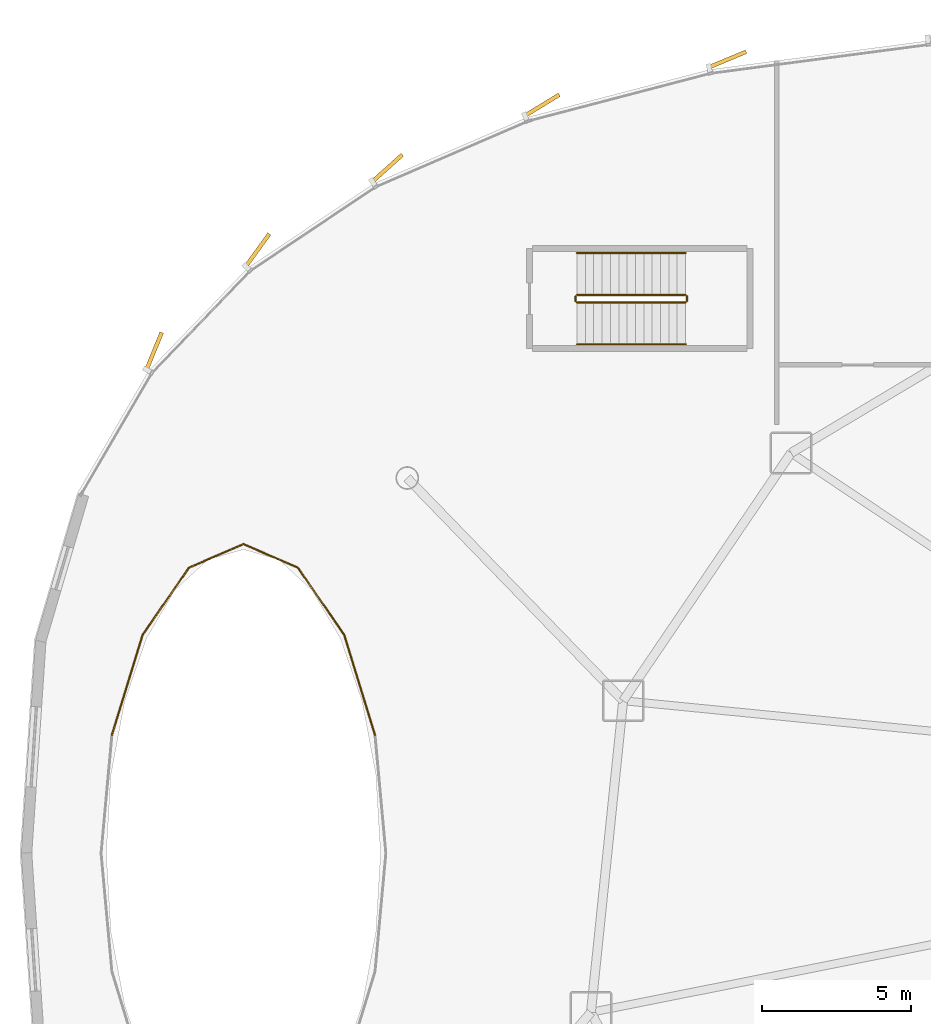
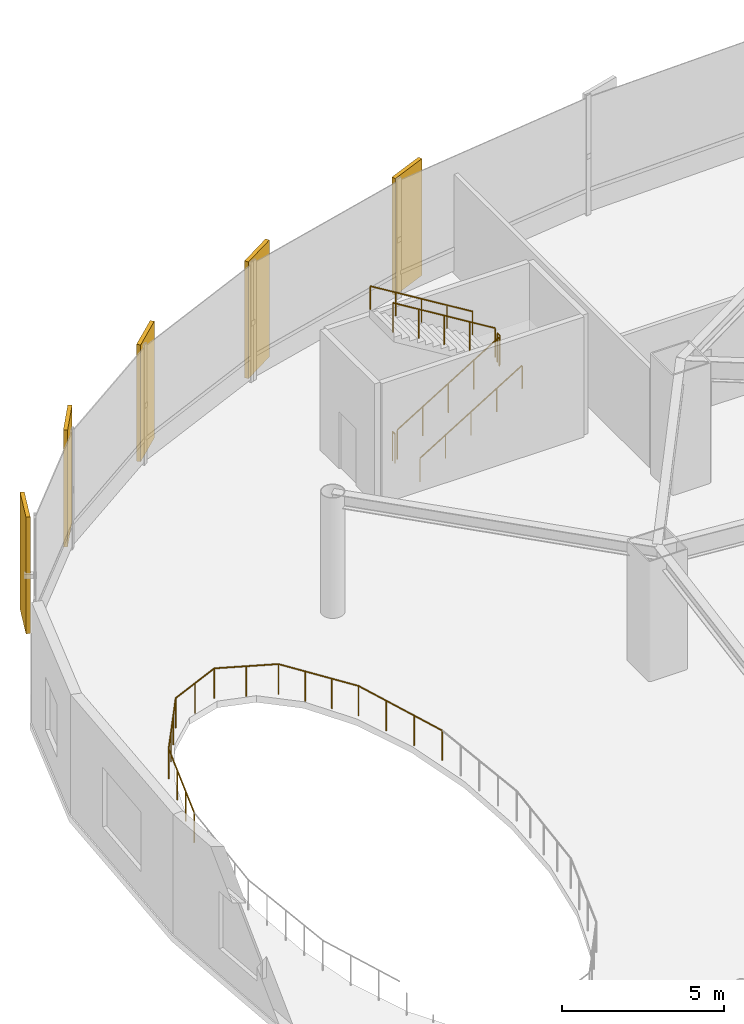
# One storey, part 31 of 33: 12 railings, 5 coverings.
"""IFC4 building model written with IfcOpenShell, lengths in metres."""

import ifcopenshell
import ifcopenshell.guid

model = None  # the IFC model being written
_history = None  # IfcOwnerHistory: only IFC2X3 demands one
_inside = {}  # id of a spatial element -> (the spatial element, [elements in it])
_under = {}  # id of a project, library or spatial element -> (it, [spatial elements below it])
_declared = {}  # id of a project -> (the project, [libraries it declares])
_typed = {}  # id of a type object -> (the type object, [elements of that type])
_made_of = {}  # id of a material, layer set ... -> (it, [elements and type objects made of it])


def new_model(schema):
    """Start an empty IFC model of exactly this schema.

    Asked for "IFC4X3", IfcOpenShell would pick the latest addendum, in which some entities
    have other attributes; the version numbers below select the first issue.
    IFC2X3 requires an IfcOwnerHistory on every rooted entity: one is made here for all.
    """
    global model, _history
    if schema == "IFC4X3":
        model = ifcopenshell.file(schema_version=(4, 3, 0, 0))
    else:
        model = ifcopenshell.file(schema=schema)
    _inside.clear()
    _under.clear()
    _declared.clear()
    _typed.clear()
    _made_of.clear()
    _history = None
    if model.schema == "IFC2X3":
        org = make("IfcOrganization", Name="unknown")
        user = make(
            "IfcPersonAndOrganization",
            ThePerson=make("IfcPerson", FamilyName="unknown"),
            TheOrganization=org,
        )
        app = make(
            "IfcApplication",
            ApplicationDeveloper=org,
            Version="unknown",
            ApplicationFullName="unknown",
            ApplicationIdentifier="unknown",
        )
        _history = make(
            "IfcOwnerHistory",
            OwningUser=user,
            OwningApplication=app,
            ChangeAction="ADDED",
            CreationDate=0,
        )
    return model


def make(cls, **values):
    """One entity of the class cls with the attributes given. An attribute that is None is left unset."""
    return model.create_entity(
        cls, **{name: value for name, value in values.items() if value is not None}
    )


def rooted(cls, **values):
    """An entity with a GlobalId (a new one), such as an element, a storey or a relation."""
    return make(cls, GlobalId=ifcopenshell.guid.new(), OwnerHistory=_history, **values)


def si_unit(unit_type, name, prefix=None):
    """IfcSIUnit, for example si_unit("LENGTHUNIT", "METRE", prefix="MILLI")."""
    return make("IfcSIUnit", UnitType=unit_type, Prefix=prefix, Name=name)


def assignment(units):
    """IfcUnitAssignment: the units of a project."""
    return None if units is None else make("IfcUnitAssignment", Units=units)


def point(xyz):
    """IfcCartesianPoint."""
    return None if xyz is None else make("IfcCartesianPoint", Coordinates=xyz)


def direction(xyz):
    """IfcDirection."""
    return None if xyz is None else make("IfcDirection", DirectionRatios=xyz)


def frame(location, z_axis=None, x_axis=None):
    """IfcAxis2Placement3D, a coordinate frame: its origin and axes. An axis left out is left unset."""
    return make(
        "IfcAxis2Placement3D",
        Location=point(location),
        Axis=direction(z_axis),
        RefDirection=direction(x_axis),
    )


def frame_2d(location, x_axis=None):
    """IfcAxis2Placement2D, a coordinate frame in the plane: its origin and x axis."""
    return make(
        "IfcAxis2Placement2D", Location=point(location), RefDirection=direction(x_axis)
    )


def origin():
    """The frame at (0, 0, 0) with its axes left unset."""
    return frame((0.0, 0.0, 0.0))


def origin_2d():
    """The frame at (0, 0) in the plane with its x axis left unset."""
    return frame_2d((0.0, 0.0))


def place(relative_to, where):
    """IfcLocalPlacement: puts the frame where relative to a parent placement (None: the world)."""
    return make(
        "IfcLocalPlacement", PlacementRelTo=relative_to, RelativePlacement=where
    )


def context(
    kind, dimensions, precision=None, world=None, true_north=None, identifier=None
):
    """IfcGeometricRepresentationContext, for example the 3D "Model" context."""
    return make(
        "IfcGeometricRepresentationContext",
        ContextIdentifier=identifier,
        ContextType=kind,
        CoordinateSpaceDimension=dimensions,
        Precision=precision,
        WorldCoordinateSystem=world,
        TrueNorth=true_north,
    )


def subcontext(parent, identifier, kind, view, scale=None):
    """IfcGeometricRepresentationSubContext, for example "Body" below "Model"."""
    return make(
        "IfcGeometricRepresentationSubContext",
        ContextIdentifier=identifier,
        ContextType=kind,
        ParentContext=parent,
        TargetScale=scale,
        TargetView=view,
    )


def project(units=None, contexts=None):
    """IfcProject with its units and contexts."""
    return rooted(
        "IfcProject",
        Name="project",
        RepresentationContexts=contexts,
        UnitsInContext=assignment(units),
    )


def spatial(cls, under=None, at=None, **own):
    """A site, building, storey or space (cls), placed at a placement, below another one or the project."""
    s = rooted(cls, ObjectPlacement=at, **own)
    if under is not None:
        _under.setdefault(under.id(), (under, []))[1].append(s)
    return s


def profile(cls, at=None, kind="AREA", **sizes):
    """A parametric profile (cls). Its sizes go by their IFC names, for example OverallWidth=200.0."""
    return make(cls, ProfileType=kind, Position=at, **sizes)


def rectangle(**sizes):
    """IfcRectangleProfileDef."""
    return profile("IfcRectangleProfileDef", **sizes)


def circle(**sizes):
    """IfcCircleProfileDef."""
    return profile("IfcCircleProfileDef", **sizes)


def extrude(swept, where, along, depth):
    """IfcExtrudedAreaSolid: the profile swept, set in the frame where, extruded along a direction by depth."""
    return make(
        "IfcExtrudedAreaSolid",
        SweptArea=swept,
        Position=where,
        ExtrudedDirection=direction(along),
        Depth=depth,
    )


def shape(context_of_items, identifier, shape_type, items):
    """IfcShapeRepresentation: the items that make up one representation, for example the "Body"."""
    return make(
        "IfcShapeRepresentation",
        ContextOfItems=context_of_items,
        RepresentationIdentifier=identifier,
        RepresentationType=shape_type,
        Items=items,
    )


def source(mapping_origin, context_of_items, identifier, shape_type, items):
    """IfcRepresentationMap: a shape defined once, which mapped items show again and again."""
    return make(
        "IfcRepresentationMap",
        MappingOrigin=mapping_origin,
        MappedRepresentation=shape(context_of_items, identifier, shape_type, items),
    )


def transform(
    local_origin,
    x_axis=None,
    y_axis=None,
    z_axis=None,
    scale=None,
    scale2=None,
    scale3=None,
    uniform=True,
):
    """IfcCartesianTransformationOperator3D, or its non-uniform kind. x_axis, y_axis, z_axis: its Axis1, 2, 3."""
    if uniform:
        return make(
            "IfcCartesianTransformationOperator3D",
            Axis1=direction(x_axis),
            Axis2=direction(y_axis),
            LocalOrigin=point(local_origin),
            Scale=scale,
            Axis3=direction(z_axis),
        )
    return make(
        "IfcCartesianTransformationOperator3DnonUniform",
        Axis1=direction(x_axis),
        Axis2=direction(y_axis),
        LocalOrigin=point(local_origin),
        Scale=scale,
        Axis3=direction(z_axis),
        Scale2=scale2,
        Scale3=scale3,
    )


def mapped(mapping_source, mapping_target):
    """IfcMappedItem: shows the shape of a source again, moved by a transform."""
    return make(
        "IfcMappedItem", MappingSource=mapping_source, MappingTarget=mapping_target
    )


def material(Name=None, Category=None):
    """IfcMaterial."""
    return make("IfcMaterial", Name=Name, Category=Category)


def layer(
    of_material, thickness, ventilated=None, Name=None, Category=None, Priority=None
):
    """IfcMaterialLayer: one layer of a wall or slab, of a material (None: an air gap)."""
    return make(
        "IfcMaterialLayer",
        Material=of_material,
        LayerThickness=thickness,
        IsVentilated=ventilated,
        Name=Name,
        Category=Category,
        Priority=Priority,
    )


def layer_set(layers, Name=None):
    """IfcMaterialLayerSet."""
    return make("IfcMaterialLayerSet", MaterialLayers=layers, LayerSetName=Name)


def made_of(thing, what):
    """Note that an element or type object is made of a material, layer set ...; save() writes the relation."""
    if what is not None:
        _made_of.setdefault(what.id(), (what, []))[1].append(thing)
    return thing


def type_object(cls, material=None, **own):
    """A type object (cls), such as IfcWallType, which elements share."""
    return made_of(rooted(cls, **own), material)


def element(
    cls,
    number,
    at=None,
    inside=None,
    cuts=None,
    type_object=None,
    material=None,
    context=None,
    identifier="Body",
    shape_type=None,
    held_by="IfcProductDefinitionShape",
    body=None,
    shapes=None,
    **own,
):
    """One element of the class cls, such as IfcWall. Its Tag is "e" and its number.

    at: its placement. inside: the storey or other place that contains it. cuts: it is an
    opening in that element (IfcRelVoidsElement). A single representation is given by context,
    identifier, shape_type and body (its items); several are given by shapes. held_by: the class
    of the entity that holds the representations. save() writes the other relations.
    """
    e = rooted(cls, Tag="e%d" % number, ObjectPlacement=at, **own)
    if body is not None:
        shapes = [shape(context, identifier, shape_type, body)]
    if shapes is not None:
        e.Representation = make(held_by, Representations=shapes)
    if inside is not None:
        _inside.setdefault(inside.id(), (inside, []))[1].append(e)
    if cuts is not None:
        rooted(
            "IfcRelVoidsElement", RelatingBuildingElement=cuts, RelatedOpeningElement=e
        )
    if type_object is not None:
        _typed.setdefault(type_object.id(), (type_object, []))[1].append(e)
    return made_of(e, material)


def aggregate(whole, parts):
    """IfcRelAggregates: a whole, such as a stair, and the parts it consists of."""
    return rooted("IfcRelAggregates", RelatingObject=whole, RelatedObjects=parts)


def save(model, path):
    """Write the relations noted so far, then the file.

    IfcRelAggregates (storeys below a building ...), IfcRelContainedInSpatialStructure (elements
    in a storey), IfcRelDefinesByType, IfcRelAssociatesMaterial and IfcRelDeclares: one each for
    every whole, place, type object, material and project.
    """
    for whole, parts in _under.values():
        aggregate(whole, parts)
    for where, things in _inside.values():
        rooted(
            "IfcRelContainedInSpatialStructure",
            RelatedElements=things,
            RelatingStructure=where,
        )
    for kind, things in _typed.values():
        rooted("IfcRelDefinesByType", RelatedObjects=things, RelatingType=kind)
    for what, things in _made_of.values():
        rooted("IfcRelAssociatesMaterial", RelatedObjects=things, RelatingMaterial=what)
    for by, libraries in _declared.values():
        rooted("IfcRelDeclares", RelatingContext=by, RelatedDefinitions=libraries)
    model.write(path)


model = new_model("IFC4")

# Units and contexts
model_context = context("Model", 3, precision=1e-05, world=origin(), true_north=direction((0.0, 1.0)))
body_context = subcontext(model_context, "Body", "Model", "MODEL_VIEW")
ifc_project = project(units=[si_unit("LENGTHUNIT", "METRE"), si_unit("AREAUNIT", "SQUARE_METRE"), si_unit("VOLUMEUNIT", "CUBIC_METRE"), si_unit("PLANEANGLEUNIT", "RADIAN"), si_unit("MASSUNIT", "GRAM", prefix="KILO"), si_unit("THERMODYNAMICTEMPERATUREUNIT", "KELVIN")], contexts=[model_context])

# Site, building, storey
site_placement = place(None, origin())
site = spatial("IfcSite", under=ifc_project, at=site_placement, CompositionType="ELEMENT")
building_placement = place(site_placement, origin())
building = spatial("IfcBuilding", under=site, at=building_placement, Name="Kethvar Cultural Tower", CompositionType="ELEMENT")
storey_placement = place(building_placement, frame((0.0, 0.0, 10.0)))
storey = spatial("IfcBuildingStorey", under=building, at=storey_placement, Name="L02", CompositionType="ELEMENT", Elevation=10.0)

# Railings
ifc_material_1 = material(Name="Steel S355J2", Category="steel")
railing_type_1 = type_object("IfcRailingType", Name="RL-INT-ATRIUM-1150", PredefinedType="BALUSTRADE", material=ifc_material_1)
railing_1_placement = place(storey_placement, frame((12.716064453125, 31.772216796875, 0.0)))
element("IfcRailing", 1, at=railing_1_placement, inside=storey, type_object=railing_type_1, Name="L02 Atrium Void Balustrade 02", PredefinedType="BALUSTRADE", context=body_context, shape_type="SweptSolid", body=[
    extrude(circle(Radius=0.02392578125, at=origin_2d()), frame((0.0, 0.0, 1.1259765625), z_axis=(-0.294066372694, 0.955785001164, 0.0), x_axis=(-0.955785001164, -0.294066372694, 0.0)), (0.0, 0.0, 1.0), 3.5234375),
    extrude(circle(Radius=0.02099609375, at=origin_2d()), origin(), (0.0, 0.0, 1.0), 1.101806640625),
    extrude(circle(Radius=0.02099609375, at=origin_2d()), frame((-0.345458984375, 1.12255859375, 0.0)), (0.0, 0.0, 1.0), 1.101806640625),
    extrude(circle(Radius=0.02099609375, at=origin_2d()), frame((-0.690673828125, 2.2451171875, 0.0)), (0.0, 0.0, 1.0), 1.101806640625),
    extrude(circle(Radius=0.02099609375, at=origin_2d()), frame((-1.0361328125, 3.36767578125, 0.0)), (0.0, 0.0, 1.0), 1.101806640625),
])
railing_2_placement = place(storey_placement, frame((11.679931640625, 35.139892578125, 0.0)))
element("IfcRailing", 2, at=railing_2_placement, inside=storey, type_object=railing_type_1, Name="L02 Atrium Void Balustrade 03", PredefinedType="BALUSTRADE", context=body_context, shape_type="SweptSolid", body=[
    extrude(circle(Radius=0.02392578125, at=origin_2d()), frame((0.0, 0.0, 1.1259765625), z_axis=(-0.567499103601, 0.823374014293, 0.0), x_axis=(-0.823374014293, -0.567499103601, 0.0)), (0.0, 0.0, 1.0), 2.732666015625),
    extrude(circle(Radius=0.02099609375, at=origin_2d()), origin(), (0.0, 0.0, 1.0), 1.101806640625),
    extrude(circle(Radius=0.02099609375, at=origin_2d()), frame((-0.516845703125, 0.75, 0.0)), (0.0, 0.0, 1.0), 1.101806640625),
    extrude(circle(Radius=0.02099609375, at=origin_2d()), frame((-1.033935546875, 1.5, 0.0)), (0.0, 0.0, 1.0), 1.101806640625),
    extrude(circle(Radius=0.02099609375, at=origin_2d()), frame((-1.55078125, 2.25, 0.0)), (0.0, 0.0, 1.0), 1.101806640625),
])
railing_3_placement = place(storey_placement, frame((10.129150390625, 37.389892578125, 0.0)))
element("IfcRailing", 3, at=railing_3_placement, inside=storey, type_object=railing_type_1, Name="L02 Atrium Void Balustrade 04", PredefinedType="BALUSTRADE", context=body_context, shape_type="SweptSolid", body=[
    extrude(circle(Radius=0.02392578125, at=origin_2d()), frame((0.0, 0.0, 1.1259765625), z_axis=(-0.918025861463, 0.396520513574, 0.0), x_axis=(-0.396520513574, -0.918025861463, 0.0)), (0.0, 0.0, 1.0), 1.992431640625),
    extrude(circle(Radius=0.02099609375, at=origin_2d()), origin(), (0.0, 0.0, 1.0), 1.101806640625),
    extrude(circle(Radius=0.02099609375, at=origin_2d()), frame((-0.91455078125, 0.39501953125, 0.0)), (0.0, 0.0, 1.0), 1.101806640625),
    extrude(circle(Radius=0.02099609375, at=origin_2d()), frame((-1.8291015625, 0.7900390625, 0.0)), (0.0, 0.0, 1.0), 1.101806640625),
])
railing_4_placement = place(storey_placement, frame((8.300048828125, 38.179931640625, 0.0)))
element("IfcRailing", 4, at=railing_4_placement, inside=storey, type_object=railing_type_1, Name="L02 Atrium Void Balustrade 05", PredefinedType="BALUSTRADE", context=body_context, shape_type="SweptSolid", body=[
    extrude(circle(Radius=0.02392578125, at=origin_2d()), frame((0.0, 0.0, 1.1259765625), z_axis=(-0.918045124076, -0.396475913721, 0.0), x_axis=(0.396475913721, -0.918045124076, 0.0)), (0.0, 0.0, 1.0), 1.99267578125),
    extrude(circle(Radius=0.02099609375, at=origin_2d()), origin(), (0.0, 0.0, 1.0), 1.101806640625),
    extrude(circle(Radius=0.02099609375, at=origin_2d()), frame((-0.91455078125, -0.39501953125, 0.0)), (0.0, 0.0, 1.0), 1.101806640625),
    extrude(circle(Radius=0.02099609375, at=origin_2d()), frame((-1.829345703125, -0.7900390625, 0.0)), (0.0, 0.0, 1.0), 1.101806640625),
])
railing_5_placement = place(storey_placement, frame((6.470703125, 37.389892578125, 0.0)))
element("IfcRailing", 5, at=railing_5_placement, inside=storey, type_object=railing_type_1, Name="L02 Atrium Void Balustrade 06", PredefinedType="BALUSTRADE", context=body_context, shape_type="SweptSolid", body=[
    extrude(circle(Radius=0.02392578125, at=origin_2d()), frame((0.0, 0.0, 1.1259765625), z_axis=(-0.567499103601, -0.823374014293, 0.0), x_axis=(0.823374014293, -0.567499103601, 0.0)), (0.0, 0.0, 1.0), 2.732666015625),
    extrude(circle(Radius=0.02099609375, at=origin_2d()), origin(), (0.0, 0.0, 1.0), 1.101806640625),
    extrude(circle(Radius=0.02099609375, at=origin_2d()), frame((-0.516845703125, -0.75, 0.0)), (0.0, 0.0, 1.0), 1.101806640625),
    extrude(circle(Radius=0.02099609375, at=origin_2d()), frame((-1.033935546875, -1.5, 0.0)), (0.0, 0.0, 1.0), 1.101806640625),
    extrude(circle(Radius=0.02099609375, at=origin_2d()), frame((-1.55078125, -2.25, 0.0)), (0.0, 0.0, 1.0), 1.101806640625),
])
railing_6_placement = place(storey_placement, frame((4.919921875, 35.139892578125, 0.0)))
element("IfcRailing", 6, at=railing_6_placement, inside=storey, type_object=railing_type_1, Name="L02 Atrium Void Balustrade 07", PredefinedType="BALUSTRADE", context=body_context, shape_type="SweptSolid", body=[
    extrude(circle(Radius=0.02392578125, at=origin_2d()), frame((0.0, 0.0, 1.1259765625), z_axis=(-0.294066372694, -0.955785001164, 0.0), x_axis=(0.955785001164, -0.294066372694, 0.0)), (0.0, 0.0, 1.0), 3.5234375),
    extrude(circle(Radius=0.02099609375, at=origin_2d()), origin(), (0.0, 0.0, 1.0), 1.101806640625),
    extrude(circle(Radius=0.02099609375, at=origin_2d()), frame((-0.345458984375, -1.12255859375, 0.0)), (0.0, 0.0, 1.0), 1.101806640625),
    extrude(circle(Radius=0.02099609375, at=origin_2d()), frame((-0.690673828125, -2.2451171875, 0.0)), (0.0, 0.0, 1.0), 1.101806640625),
    extrude(circle(Radius=0.02099609375, at=origin_2d()), frame((-1.0361328125, -3.36767578125, 0.0)), (0.0, 0.0, 1.0), 1.101806640625),
])
railing_type_2 = type_object("IfcRailingType", Name="RL-STAIR-GUARD", PredefinedType="BALUSTRADE", material=ifc_material_1)
railing_7_placement = place(storey_placement, frame((19.5, 46.2900390625, 0.17138671875)))
element("IfcRailing", 7, at=railing_7_placement, inside=storey, type_object=railing_type_2, Name="L02 ST-05 stair guard 1", PredefinedType="BALUSTRADE", context=body_context, shape_type="SweptSolid", body=[
    extrude(circle(Radius=0.02392578125, at=origin_2d()), frame((0.0, 0.0, 1.09619140625), z_axis=(0.852850264322, 0.0, 0.5221555579), x_axis=(0.0, 1.0, 0.0)), (0.0, 0.0, 1.0), 4.267822265625),
    extrude(circle(Radius=0.02099609375, at=origin_2d()), origin(), (0.0, 0.0, 1.0), 1.072021484375),
    extrude(circle(Radius=0.02099609375, at=origin_2d()), frame((0.909912109375, 0.0, 0.55712890625)), (0.0, 0.0, 1.0), 1.072021484375),
    extrude(circle(Radius=0.02099609375, at=origin_2d()), frame((1.81982421875, 0.0, 1.1142578125)), (0.0, 0.0, 1.0), 1.072021484375),
    extrude(circle(Radius=0.02099609375, at=origin_2d()), frame((2.72998046875, 0.0, 1.67138671875)), (0.0, 0.0, 1.0), 1.072021484375),
    extrude(circle(Radius=0.02099609375, at=origin_2d()), frame((3.639892578125, 0.0, 2.228515625)), (0.0, 0.0, 1.0), 1.072021484375),
])
railing_8_placement = place(storey_placement, frame((23.18994140625, 46.340087890625, 2.39990234375)))
element("IfcRailing", 8, at=railing_8_placement, inside=storey, type_object=railing_type_2, Name="L02 ST-05 stair guard 2", PredefinedType="BALUSTRADE", context=body_context, shape_type="SweptSolid", body=[
    extrude(circle(Radius=0.02392578125, at=origin_2d()), frame((0.0, 0.0, 1.09619140625), z_axis=(0.0, 1.0, 0.0), x_axis=(-1.0, 0.0, 0.0)), (0.0, 0.0, 1.0), 0.159912109375),
    extrude(circle(Radius=0.02099609375, at=origin_2d()), origin(), (0.0, 0.0, 1.0), 1.072021484375),
    extrude(circle(Radius=0.02099609375, at=origin_2d()), frame((0.0, 0.159912109375, 0.0)), (0.0, 0.0, 1.0), 1.072021484375),
])
railing_9_placement = place(storey_placement, frame((23.139892578125, 46.550048828125, 2.571533203125)))
element("IfcRailing", 9, at=railing_9_placement, inside=storey, type_object=railing_type_2, Name="L02 ST-05 stair guard 3", PredefinedType="BALUSTRADE", context=body_context, shape_type="SweptSolid", body=[
    extrude(circle(Radius=0.02392578125, at=origin_2d()), frame((0.0, 0.0, 1.09619140625), z_axis=(-0.852850264322, 0.0, 0.5221555579), x_axis=(0.0, -1.0, 0.0)), (0.0, 0.0, 1.0), 4.267822265625),
    extrude(circle(Radius=0.02099609375, at=origin_2d()), origin(), (0.0, 0.0, 1.0), 1.072021484375),
    extrude(circle(Radius=0.02099609375, at=origin_2d()), frame((-0.909912109375, 0.0, 0.55712890625)), (0.0, 0.0, 1.0), 1.072021484375),
    extrude(circle(Radius=0.02099609375, at=origin_2d()), frame((-1.81982421875, 0.0, 1.1142578125)), (0.0, 0.0, 1.0), 1.072021484375),
    extrude(circle(Radius=0.02099609375, at=origin_2d()), frame((-2.72998046875, 0.0, 1.67138671875)), (0.0, 0.0, 1.0), 1.072021484375),
    extrude(circle(Radius=0.02099609375, at=origin_2d()), frame((-3.639892578125, 0.0, 2.228515625)), (0.0, 0.0, 1.0), 1.072021484375),
])
railing_10_placement = place(storey_placement, frame((19.449951171875, 46.340087890625, 0.0)))
element("IfcRailing", 10, at=railing_10_placement, inside=storey, type_object=railing_type_2, Name="L02 ST-05 stair guard 4", PredefinedType="BALUSTRADE", context=body_context, shape_type="SweptSolid", body=[
    extrude(circle(Radius=0.02392578125, at=origin_2d()), frame((0.0, 0.0, 1.09619140625), z_axis=(0.0, 1.0, 0.0), x_axis=(-1.0, 0.0, 0.0)), (0.0, 0.0, 1.0), 0.159912109375),
    extrude(circle(Radius=0.02099609375, at=origin_2d()), origin(), (0.0, 0.0, 1.0), 1.072021484375),
    extrude(circle(Radius=0.02099609375, at=origin_2d()), frame((0.0, 0.159912109375, 0.0)), (0.0, 0.0, 1.0), 1.072021484375),
])
railing_type_3 = type_object("IfcRailingType", Name="RL-STAIR-HANDRAIL", PredefinedType="HANDRAIL", material=ifc_material_1)
railing_11_placement = place(storey_placement, frame((19.5, 44.889892578125, 0.17138671875)))
element("IfcRailing", 11, at=railing_11_placement, inside=storey, type_object=railing_type_3, Name="L02 ST-05 stair handrail 1", PredefinedType="HANDRAIL", context=body_context, shape_type="SweptSolid", body=[
    extrude(circle(Radius=0.02392578125, at=origin_2d()), frame((0.0, 0.0, 0.8759765625), z_axis=(0.852850264322, 0.0, 0.5221555579), x_axis=(0.0, 1.0, 0.0)), (0.0, 0.0, 1.0), 4.267822265625),
    extrude(circle(Radius=0.02099609375, at=origin_2d()), origin(), (0.0, 0.0, 1.0), 0.851806640625),
    extrude(circle(Radius=0.02099609375, at=origin_2d()), frame((0.909912109375, 0.0, 0.55712890625)), (0.0, 0.0, 1.0), 0.851806640625),
    extrude(circle(Radius=0.02099609375, at=origin_2d()), frame((1.81982421875, 0.0, 1.1142578125)), (0.0, 0.0, 1.0), 0.851806640625),
    extrude(circle(Radius=0.02099609375, at=origin_2d()), frame((2.72998046875, 0.0, 1.67138671875)), (0.0, 0.0, 1.0), 0.851806640625),
    extrude(circle(Radius=0.02099609375, at=origin_2d()), frame((3.639892578125, 0.0, 2.228515625)), (0.0, 0.0, 1.0), 0.851806640625),
])
railing_12_placement = place(storey_placement, frame((23.139892578125, 47.949951171875, 2.571533203125)))
element("IfcRailing", 12, at=railing_12_placement, inside=storey, type_object=railing_type_3, Name="L02 ST-05 stair handrail 2", PredefinedType="HANDRAIL", context=body_context, shape_type="SweptSolid", body=[
    extrude(circle(Radius=0.02392578125, at=origin_2d()), frame((0.0, 0.0, 0.8759765625), z_axis=(-0.852850264322, 0.0, 0.5221555579), x_axis=(0.0, -1.0, 0.0)), (0.0, 0.0, 1.0), 4.267822265625),
    extrude(circle(Radius=0.02099609375, at=origin_2d()), origin(), (0.0, 0.0, 1.0), 0.851806640625),
    extrude(circle(Radius=0.02099609375, at=origin_2d()), frame((-0.909912109375, 0.0, 0.55712890625)), (0.0, 0.0, 1.0), 0.851806640625),
    extrude(circle(Radius=0.02099609375, at=origin_2d()), frame((-1.81982421875, 0.0, 1.1142578125)), (0.0, 0.0, 1.0), 0.851806640625),
    extrude(circle(Radius=0.02099609375, at=origin_2d()), frame((-2.72998046875, 0.0, 1.67138671875)), (0.0, 0.0, 1.0), 0.851806640625),
    extrude(circle(Radius=0.02099609375, at=origin_2d()), frame((-3.639892578125, 0.0, 2.228515625)), (0.0, 0.0, 1.0), 0.851806640625),
])

# Coverings
ifc_material_2 = material(Name="Extruded Architectural Terracotta", Category="masonry")
ifc_layer = layer(ifc_material_2, 0.135009765625, Name="Extruded Architectural Terracotta", Category="masonry")
ifc_layer_set = layer_set([ifc_layer], Name="Extruded Architectural Terracotta (135 mm)")
covering_type = type_object("IfcCoveringType", Name="Terracotta Facade Fin FIN-04", PredefinedType="CLADDING", material=ifc_layer_set)
shared_shape = source(origin(), body_context, "Body", "SweptSolid", [
    extrude(rectangle(XDim=1.35009765625, YDim=0.135009765625, at=origin_2d()), origin(), (0.0, 0.0, 1.0), 4.39990234375),
])
for number, where, z_axis, x_axis, name in (
    (13, (24.552734375, 54.447998046875, 0.02001953125), (0.0, 0.0, 1.0), (0.922807277859, 0.385261895248, 0.0), "L02 Vertical Terracotta Fin 2.6"),
    (14, (18.32666015625, 52.914306640625, 0.02001953125), (0.0, 0.0, 1.0), (0.854005138885, 0.520264569962, 0.0), "L02 Vertical Terracotta Fin 3.1"),
    (15, (13.13232421875, 50.800537109375, 0.02001953125), (0.0, 0.0, 1.0), (0.745243290547, 0.66679264985, 0.0), "L02 Vertical Terracotta Fin 3.2"),
    (16, (8.775146484375, 48.048095703125, 0.02001953125), (0.0, 0.0, 1.0), (0.586372356736, 0.810041640446, 0.0), "L02 Vertical Terracotta Fin 3.3"),
    (17, (5.3017578125, 44.658935546875, 0.02001953125), (0.0, 0.0, 1.0), (0.378325519707, 0.925672620929, 0.0), "L02 Vertical Terracotta Fin 3.4"),
):
    element("IfcCovering", number, at=place(storey_placement, frame(where, z_axis=z_axis, x_axis=x_axis)), inside=storey, type_object=covering_type, Name=name, PredefinedType="CLADDING", context=body_context, shape_type="MappedRepresentation", body=[
        mapped(shared_shape, transform((0.0, 0.0, 0.0), scale=1.0)),
    ])

save(model, "model.ifc")
